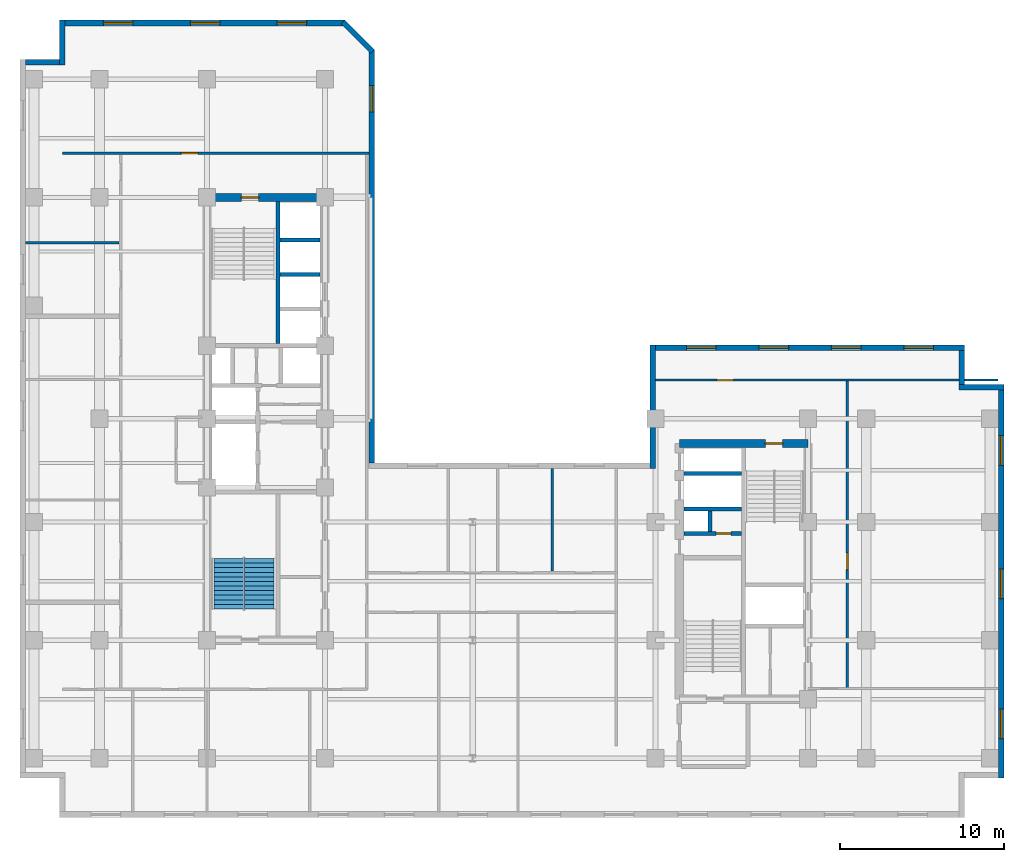
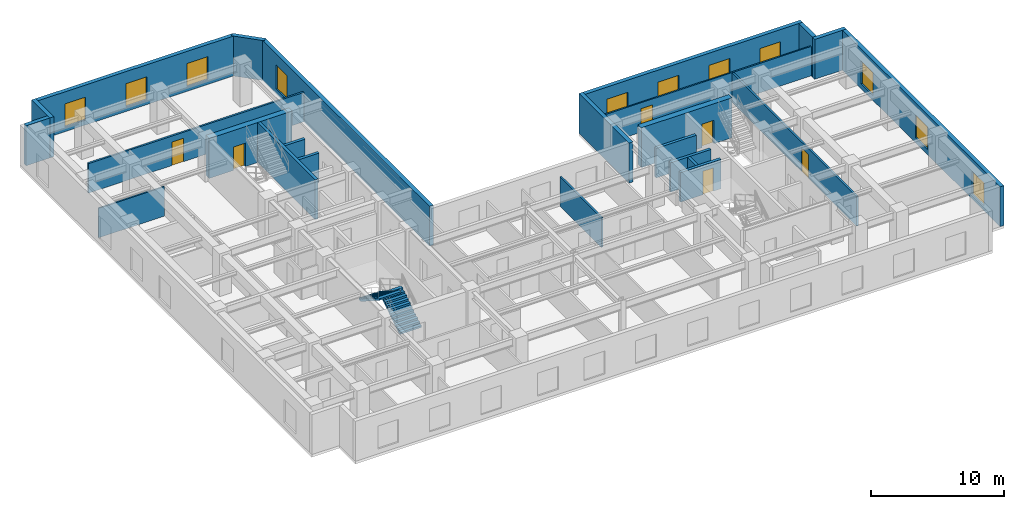
# One storey, part 6 of 10: 24 walls, 11 windows, 6 doors, 2 stair flights, 17 openings, 1 element without a shape of its own.
"""IFC4 building model written with IfcOpenShell, lengths in metres."""

from ifc_helpers import new_model, entity, si_unit, converted_unit, direction, frame, origin_with_axes, origin_2d_with_axis, place, context, subcontext, project, spatial, polyline, rectangle, outline, extrude, material, layer, layer_set, type_object, element, fill, aggregate, save


model = new_model("IFC4")

# Units and contexts
model_context = context("Model", 3, precision=1e-05, world=origin_with_axes(), true_north=direction((0.0, 1.0)))
body_context = subcontext(model_context, "Body", "Model", "MODEL_VIEW")
ifc_project = project(units=[si_unit("LENGTHUNIT", "METRE"), si_unit("AREAUNIT", "SQUARE_METRE"), si_unit("VOLUMEUNIT", "CUBIC_METRE"), converted_unit("PLANEANGLEUNIT", "DEGREE", entity("IfcPlaneAngleMeasure", 0.017453292519943295), si_unit("PLANEANGLEUNIT", "RADIAN"), dimensions=[0, 0, 0, 0, 0, 0, 0]), si_unit("MASSUNIT", "GRAM", prefix="KILO"), si_unit("THERMODYNAMICTEMPERATUREUNIT", "KELVIN")], contexts=[model_context])

# Site, building, storey
site_placement = place(None, origin_with_axes())
site = spatial("IfcSite", under=ifc_project, at=site_placement, CompositionType="ELEMENT")
building_placement = place(site_placement, origin_with_axes())
building = spatial("IfcBuilding", under=site, at=building_placement, Name="Varnlund Millrace Tower", CompositionType="ELEMENT")
storey_placement = place(building_placement, frame((0.0, 0.0, 129.0), z_axis=(0.0, 0.0, 1.0), x_axis=(1.0, 0.0, 0.0)))
storey = spatial("IfcBuildingStorey", under=building, at=storey_placement, Name="L31", CompositionType="ELEMENT", Elevation=129.0)

# Wall, opening, door
ifc_material_1 = material(Name="Concrete C70/85", Category="concrete")
ifc_layer_1 = layer(ifc_material_1, 0.5, Name="Concrete C70/85")
ifc_layer_set_1 = layer_set([ifc_layer_1], Name="Concrete C70/85")
wall_type_1 = type_object("IfcWallType", Name="Type-CoreWall-Shear-500-C70", PredefinedType="SHEAR", material=ifc_layer_set_1)
wall_1_placement = place(storey_placement, frame((11.4, 37.8, 0.0), z_axis=(0.0, 0.0, 1.0), x_axis=(1.0, 0.0, 0.0)))
wall_1 = element("IfcWall", 1, at=wall_1_placement, inside=storey, type_object=wall_type_1, Name="Type-CoreWall-Shear-500-C70", PredefinedType="SHEAR", context=body_context, shape_type="SweptSolid", body=[
    extrude(outline(polyline([(0.0, -0.25), (7.2, -0.25), (7.2, 0.25), (0.0, 0.25), (0.0, -0.25)])), origin_with_axes(), (0.0, 0.0, 1.0), 3.66),
])
opening_1_placement = place(wall_1_placement, frame((2.625, 0.0, 0.0), z_axis=(0.0, 0.0, 1.0), x_axis=(1.0, 0.0, 0.0)))
opening_1 = element("IfcOpeningElement", 2, at=opening_1_placement, cuts=wall_1, Name="Opening L31:DR-STA2", PredefinedType="OPENING", context=body_context, shape_type="SweptSolid", body=[
    extrude(rectangle(XDim=1.05, YDim=0.52, at=origin_2d_with_axis()), origin_with_axes(), (0.0, 0.0, 1.0), 2.15),
])
ifc_material_2 = material(Name="Fire-rated hollow steel door", Category="steel")
door_type_1 = type_object("IfcDoorType", Name="Type-FireDoor-Stair-1050X2150", OperationType="NOTDEFINED", PredefinedType="DOOR", material=ifc_material_2)
door_1_placement = place(wall_1_placement, frame((2.625, 0.0, 0.0), z_axis=(0.0, 0.0, 1.0), x_axis=(1.0, 0.0, 0.0)))
door_1 = element("IfcDoor", 3, at=door_1_placement, inside=storey, type_object=door_type_1, Name="Type-FireDoor-Stair-1050X2150", OperationType="SINGLE_SWING_RIGHT", OverallHeight=2.15, OverallWidth=1.05, PredefinedType="DOOR", context=body_context, shape_type="SweptSolid", body=[
    extrude(rectangle(XDim=1.05, YDim=0.09, at=origin_2d_with_axis()), origin_with_axes(), (0.0, 0.0, 1.0), 2.15),
])
fill(opening_1, door_1)

wall_2_placement = place(storey_placement, frame((40.2, 22.8, 0.0), z_axis=(0.0, 0.0, 1.0), x_axis=(1.0, 0.0, 0.0)))
wall_2 = element("IfcWall", 4, at=wall_2_placement, inside=storey, type_object=wall_type_1, Name="Type-CoreWall-Shear-500-C70", PredefinedType="SHEAR", context=body_context, shape_type="SweptSolid", body=[
    extrude(outline(polyline([(0.0, -0.25), (7.85, -0.25), (7.85, 0.25), (0.0, 0.25), (0.0, -0.25)])), origin_with_axes(), (0.0, 0.0, 1.0), 3.66),
])
opening_2_placement = place(wall_2_placement, frame((5.775, 0.0, 0.0), z_axis=(0.0, 0.0, 1.0), x_axis=(1.0, 0.0, 0.0)))
opening_2 = element("IfcOpeningElement", 5, at=opening_2_placement, cuts=wall_2, Name="Opening L31:DR-STB2", PredefinedType="OPENING", context=body_context, shape_type="SweptSolid", body=[
    extrude(rectangle(XDim=1.05, YDim=0.52, at=origin_2d_with_axis()), origin_with_axes(), (0.0, 0.0, 1.0), 2.15),
])
door_2_placement = place(wall_2_placement, frame((5.775, 0.0, 0.0), z_axis=(0.0, 0.0, 1.0), x_axis=(1.0, 0.0, 0.0)))
door_2 = element("IfcDoor", 6, at=door_2_placement, inside=storey, type_object=door_type_1, Name="Type-FireDoor-Stair-1050X2150", OperationType="SINGLE_SWING_RIGHT", OverallHeight=2.15, OverallWidth=1.05, PredefinedType="DOOR", context=body_context, shape_type="SweptSolid", body=[
    extrude(rectangle(XDim=1.05, YDim=0.09, at=origin_2d_with_axis()), origin_with_axes(), (0.0, 0.0, 1.0), 2.15),
])
fill(opening_2, door_2)

# Wall
ifc_material_3 = material(Name="Precast concrete C50/60", Category="concrete")
ifc_layer_2 = layer(ifc_material_3, 0.34, Name="Precast concrete C50/60")
ifc_layer_set_2 = layer_set([ifc_layer_2], Name="Precast concrete C50/60")
wall_type_2 = type_object("IfcWallType", Name="Type-ExtWall-Precast-Upper-340", PredefinedType="SOLIDWALL", material=ifc_layer_set_2)
wall_3_placement = place(storey_placement, frame((38.57, 21.26, 0.0), z_axis=(0.0, 0.0, 1.0), x_axis=(0.0, 1.0, 0.0)))
element("IfcWall", 7, at=wall_3_placement, inside=storey, type_object=wall_type_2, Name="Type-ExtWall-Precast-Upper-340", PredefinedType="SOLIDWALL", context=body_context, shape_type="SweptSolid", body=[
    extrude(outline(polyline([(0.0, -0.17), (7.54, -0.17), (7.54, 0.17), (0.0, 0.17), (0.0, -0.17)])), origin_with_axes(), (0.0, 0.0, 1.0), 3.66),
])

# Wall, openings, windows
wall_4_placement = place(storey_placement, frame((38.74, 28.63, 0.0), z_axis=(0.0, 0.0, 1.0), x_axis=(1.0, 0.0, 0.0)))
wall_4 = element("IfcWall", 8, at=wall_4_placement, inside=storey, type_object=wall_type_2, Name="Type-ExtWall-Precast-Upper-340", PredefinedType="SOLIDWALL", context=body_context, shape_type="SweptSolid", body=[
    extrude(outline(polyline([(0.0, -0.17), (18.86, -0.17), (18.86, 0.17), (0.0, 0.17), (0.0, -0.17)])), origin_with_axes(), (0.0, 0.0, 1.0), 3.66),
])
opening_3_placement = place(wall_4_placement, frame((2.808, 0.0, 0.45), z_axis=(0.0, 0.0, 1.0), x_axis=(1.0, 0.0, 0.0)))
opening_3 = element("IfcOpeningElement", 9, at=opening_3_placement, cuts=wall_4, Name="Opening L31:WN-01", PredefinedType="OPENING", context=body_context, shape_type="SweptSolid", body=[
    extrude(rectangle(XDim=1.8, YDim=0.36, at=origin_2d_with_axis()), origin_with_axes(), (0.0, 0.0, 1.0), 2.1),
])
opening_4_placement = place(wall_4_placement, frame((7.222, 0.0, 0.45), z_axis=(0.0, 0.0, 1.0), x_axis=(1.0, 0.0, 0.0)))
opening_4 = element("IfcOpeningElement", 10, at=opening_4_placement, cuts=wall_4, Name="Opening L31:WN-02", PredefinedType="OPENING", context=body_context, shape_type="SweptSolid", body=[
    extrude(rectangle(XDim=1.8, YDim=0.36, at=origin_2d_with_axis()), origin_with_axes(), (0.0, 0.0, 1.0), 2.1),
])
opening_5_placement = place(wall_4_placement, frame((11.637, 0.0, 0.45), z_axis=(0.0, 0.0, 1.0), x_axis=(1.0, 0.0, 0.0)))
opening_5 = element("IfcOpeningElement", 11, at=opening_5_placement, cuts=wall_4, Name="Opening L31:WN-03", PredefinedType="OPENING", context=body_context, shape_type="SweptSolid", body=[
    extrude(rectangle(XDim=1.8, YDim=0.36, at=origin_2d_with_axis()), origin_with_axes(), (0.0, 0.0, 1.0), 2.1),
])
opening_6_placement = place(wall_4_placement, frame((16.053, 0.0, 0.45), z_axis=(0.0, 0.0, 1.0), x_axis=(1.0, 0.0, 0.0)))
opening_6 = element("IfcOpeningElement", 12, at=opening_6_placement, cuts=wall_4, Name="Opening L31:WN-04", PredefinedType="OPENING", context=body_context, shape_type="SweptSolid", body=[
    extrude(rectangle(XDim=1.8, YDim=0.36, at=origin_2d_with_axis()), origin_with_axes(), (0.0, 0.0, 1.0), 2.1),
])
ifc_material_4 = material(Name="Argon low-e triple glazing in thermally broken bronze frame", Category="glass")
window_type_1 = type_object("IfcWindowType", Name="Type-Window-Punched-1800X2100", PartitioningType="SINGLE_PANEL", PredefinedType="WINDOW", material=ifc_material_4)
window_1_placement = place(wall_4_placement, frame((2.808, 0.0, 0.45), z_axis=(0.0, 0.0, 1.0), x_axis=(1.0, 0.0, 0.0)))
window_1 = element("IfcWindow", 13, at=window_1_placement, inside=storey, type_object=window_type_1, Name="Type-Window-Punched-1800X2100", OverallHeight=2.1, OverallWidth=1.8, PredefinedType="WINDOW", context=body_context, shape_type="SweptSolid", body=[
    extrude(rectangle(XDim=1.8, YDim=0.09, at=origin_2d_with_axis()), origin_with_axes(), (0.0, 0.0, 1.0), 2.1),
])
fill(opening_3, window_1)
window_2_placement = place(wall_4_placement, frame((7.222, 0.0, 0.45), z_axis=(0.0, 0.0, 1.0), x_axis=(1.0, 0.0, 0.0)))
window_2 = element("IfcWindow", 14, at=window_2_placement, inside=storey, type_object=window_type_1, Name="Type-Window-Punched-1800X2100", OverallHeight=2.1, OverallWidth=1.8, PredefinedType="WINDOW", context=body_context, shape_type="SweptSolid", body=[
    extrude(rectangle(XDim=1.8, YDim=0.09, at=origin_2d_with_axis()), origin_with_axes(), (0.0, 0.0, 1.0), 2.1),
])
fill(opening_4, window_2)
window_3_placement = place(wall_4_placement, frame((11.637, 0.0, 0.45), z_axis=(0.0, 0.0, 1.0), x_axis=(1.0, 0.0, 0.0)))
window_3 = element("IfcWindow", 15, at=window_3_placement, inside=storey, type_object=window_type_1, Name="Type-Window-Punched-1800X2100", OverallHeight=2.1, OverallWidth=1.8, PredefinedType="WINDOW", context=body_context, shape_type="SweptSolid", body=[
    extrude(rectangle(XDim=1.8, YDim=0.09, at=origin_2d_with_axis()), origin_with_axes(), (0.0, 0.0, 1.0), 2.1),
])
fill(opening_5, window_3)
window_4_placement = place(wall_4_placement, frame((16.053, 0.0, 0.45), z_axis=(0.0, 0.0, 1.0), x_axis=(1.0, 0.0, 0.0)))
window_4 = element("IfcWindow", 16, at=window_4_placement, inside=storey, type_object=window_type_1, Name="Type-Window-Punched-1800X2100", OverallHeight=2.1, OverallWidth=1.8, PredefinedType="WINDOW", context=body_context, shape_type="SweptSolid", body=[
    extrude(rectangle(XDim=1.8, YDim=0.09, at=origin_2d_with_axis()), origin_with_axes(), (0.0, 0.0, 1.0), 2.1),
])
fill(opening_6, window_4)

# Walls
wall_5_placement = place(storey_placement, frame((57.43, 28.46, 0.0), z_axis=(0.0, 0.0, 1.0), x_axis=(0.0, -1.0, 0.0)))
element("IfcWall", 17, at=wall_5_placement, inside=storey, type_object=wall_type_2, Name="Type-ExtWall-Precast-Upper-340", PredefinedType="SOLIDWALL", context=body_context, shape_type="SweptSolid", body=[
    extrude(outline(polyline([(0.0, -0.17), (2.06, -0.17), (2.06, 0.17), (0.0, 0.17), (0.0, -0.17)])), origin_with_axes(), (0.0, 0.0, 1.0), 3.66),
])
wall_6_placement = place(storey_placement, frame((57.26, 26.23, 0.0), z_axis=(0.0, 0.0, 1.0), x_axis=(1.0, 0.0, 0.0)))
element("IfcWall", 18, at=wall_6_placement, inside=storey, type_object=wall_type_2, Name="Type-ExtWall-Precast-Upper-340", PredefinedType="SOLIDWALL", context=body_context, shape_type="SweptSolid", body=[
    extrude(outline(polyline([(0.0, -0.17), (2.74, -0.17), (2.74, 0.17), (0.0, 0.17), (0.0, -0.17)])), origin_with_axes(), (0.0, 0.0, 1.0), 3.66),
])

# Wall, openings, windows
wall_7_placement = place(storey_placement, frame((59.83, 26.06, 0.0), z_axis=(0.0, 0.0, 1.0), x_axis=(0.0, -1.0, 0.0)))
wall_7 = element("IfcWall", 19, at=wall_7_placement, inside=storey, type_object=wall_type_2, Name="Type-ExtWall-Precast-Upper-340", PredefinedType="SOLIDWALL", context=body_context, shape_type="SweptSolid", body=[
    extrude(outline(polyline([(0.0, -0.17), (23.66, -0.17), (23.66, 0.17), (0.0, 0.17), (0.0, -0.17)])), origin_with_axes(), (0.0, 0.0, 1.0), 3.66),
])
opening_7_placement = place(wall_7_placement, frame((3.696, 0.0, 0.45), z_axis=(0.0, 0.0, 1.0), x_axis=(1.0, 0.0, 0.0)))
opening_7 = element("IfcOpeningElement", 20, at=opening_7_placement, cuts=wall_7, Name="Opening L31:WN-05", PredefinedType="OPENING", context=body_context, shape_type="SweptSolid", body=[
    extrude(rectangle(XDim=1.8, YDim=0.36, at=origin_2d_with_axis()), origin_with_axes(), (0.0, 0.0, 1.0), 2.1),
])
opening_8_placement = place(wall_7_placement, frame((11.83, 0.0, 0.45), z_axis=(0.0, 0.0, 1.0), x_axis=(1.0, 0.0, 0.0)))
opening_8 = element("IfcOpeningElement", 21, at=opening_8_placement, cuts=wall_7, Name="Opening L31:WN-06", PredefinedType="OPENING", context=body_context, shape_type="SweptSolid", body=[
    extrude(rectangle(XDim=1.8, YDim=0.36, at=origin_2d_with_axis()), origin_with_axes(), (0.0, 0.0, 1.0), 2.1),
])
opening_9_placement = place(wall_7_placement, frame((20.364, 0.0, 0.45), z_axis=(0.0, 0.0, 1.0), x_axis=(1.0, 0.0, 0.0)))
opening_9 = element("IfcOpeningElement", 22, at=opening_9_placement, cuts=wall_7, Name="Opening L31:WN-07", PredefinedType="OPENING", context=body_context, shape_type="SweptSolid", body=[
    extrude(rectangle(XDim=1.8, YDim=0.36, at=origin_2d_with_axis()), origin_with_axes(), (0.0, 0.0, 1.0), 2.1),
])
window_5_placement = place(wall_7_placement, frame((3.696, 0.0, 0.45), z_axis=(0.0, 0.0, 1.0), x_axis=(1.0, 0.0, 0.0)))
window_5 = element("IfcWindow", 23, at=window_5_placement, inside=storey, type_object=window_type_1, Name="Type-Window-Punched-1800X2100", OverallHeight=2.1, OverallWidth=1.8, PredefinedType="WINDOW", context=body_context, shape_type="SweptSolid", body=[
    extrude(rectangle(XDim=1.8, YDim=0.09, at=origin_2d_with_axis()), origin_with_axes(), (0.0, 0.0, 1.0), 2.1),
])
fill(opening_7, window_5)
window_6_placement = place(wall_7_placement, frame((11.83, 0.0, 0.45), z_axis=(0.0, 0.0, 1.0), x_axis=(1.0, 0.0, 0.0)))
window_6 = element("IfcWindow", 24, at=window_6_placement, inside=storey, type_object=window_type_1, Name="Type-Window-Punched-1800X2100", OverallHeight=2.1, OverallWidth=1.8, PredefinedType="WINDOW", context=body_context, shape_type="SweptSolid", body=[
    extrude(rectangle(XDim=1.8, YDim=0.09, at=origin_2d_with_axis()), origin_with_axes(), (0.0, 0.0, 1.0), 2.1),
])
fill(opening_8, window_6)
window_7_placement = place(wall_7_placement, frame((20.364, 0.0, 0.45), z_axis=(0.0, 0.0, 1.0), x_axis=(1.0, 0.0, 0.0)))
window_7 = element("IfcWindow", 25, at=window_7_placement, inside=storey, type_object=window_type_1, Name="Type-Window-Punched-1800X2100", OverallHeight=2.1, OverallWidth=1.8, PredefinedType="WINDOW", context=body_context, shape_type="SweptSolid", body=[
    extrude(rectangle(XDim=1.8, YDim=0.09, at=origin_2d_with_axis()), origin_with_axes(), (0.0, 0.0, 1.0), 2.1),
])
fill(opening_9, window_7)

# Walls
wall_8_placement = place(storey_placement, frame((0.34, 46.03, 0.0), z_axis=(0.0, 0.0, 1.0), x_axis=(1.0, 0.0, 0.0)))
element("IfcWall", 26, at=wall_8_placement, inside=storey, type_object=wall_type_2, Name="Type-ExtWall-Precast-Upper-340", PredefinedType="SOLIDWALL", context=body_context, shape_type="SweptSolid", body=[
    extrude(outline(polyline([(0.0, -0.17), (2.06, -0.17), (2.06, 0.17), (0.0, 0.17), (0.0, -0.17)])), origin_with_axes(), (0.0, 0.0, 1.0), 3.66),
])
wall_9_placement = place(storey_placement, frame((2.57, 45.86, 0.0), z_axis=(0.0, 0.0, 1.0), x_axis=(0.0, 1.0, 0.0)))
element("IfcWall", 27, at=wall_9_placement, inside=storey, type_object=wall_type_2, Name="Type-ExtWall-Precast-Upper-340", PredefinedType="SOLIDWALL", context=body_context, shape_type="SweptSolid", body=[
    extrude(outline(polyline([(0.0, -0.17), (2.74, -0.17), (2.74, 0.17), (0.0, 0.17), (0.0, -0.17)])), origin_with_axes(), (0.0, 0.0, 1.0), 3.66),
])

# Wall, openings, windows
wall_10_placement = place(storey_placement, frame((2.74, 48.43, 0.0), z_axis=(0.0, 0.0, 1.0), x_axis=(1.0, 0.0, 0.0)))
wall_10 = element("IfcWall", 28, at=wall_10_placement, inside=storey, type_object=wall_type_2, Name="Type-ExtWall-Precast-Upper-340", PredefinedType="SOLIDWALL", context=body_context, shape_type="SweptSolid", body=[
    extrude(outline(polyline([(0.0, -0.17), (17.088, -0.17), (17.088, 0.17), (0.0, 0.17), (0.0, -0.17)])), origin_with_axes(), (0.0, 0.0, 1.0), 3.66),
])
opening_10_placement = place(wall_10_placement, frame((3.248, 0.0, 0.45), z_axis=(0.0, 0.0, 1.0), x_axis=(1.0, 0.0, 0.0)))
opening_10 = element("IfcOpeningElement", 29, at=opening_10_placement, cuts=wall_10, Name="Opening L31:WN-26", PredefinedType="OPENING", context=body_context, shape_type="SweptSolid", body=[
    extrude(rectangle(XDim=1.8, YDim=0.36, at=origin_2d_with_axis()), origin_with_axes(), (0.0, 0.0, 1.0), 2.1),
])
opening_11_placement = place(wall_10_placement, frame((8.544, 0.0, 0.45), z_axis=(0.0, 0.0, 1.0), x_axis=(1.0, 0.0, 0.0)))
opening_11 = element("IfcOpeningElement", 30, at=opening_11_placement, cuts=wall_10, Name="Opening L31:WN-27", PredefinedType="OPENING", context=body_context, shape_type="SweptSolid", body=[
    extrude(rectangle(XDim=1.8, YDim=0.36, at=origin_2d_with_axis()), origin_with_axes(), (0.0, 0.0, 1.0), 2.1),
])
opening_12_placement = place(wall_10_placement, frame((13.84, 0.0, 0.45), z_axis=(0.0, 0.0, 1.0), x_axis=(1.0, 0.0, 0.0)))
opening_12 = element("IfcOpeningElement", 31, at=opening_12_placement, cuts=wall_10, Name="Opening L31:WN-28", PredefinedType="OPENING", context=body_context, shape_type="SweptSolid", body=[
    extrude(rectangle(XDim=1.8, YDim=0.36, at=origin_2d_with_axis()), origin_with_axes(), (0.0, 0.0, 1.0), 2.1),
])
window_8_placement = place(wall_10_placement, frame((3.248, 0.0, 0.45), z_axis=(0.0, 0.0, 1.0), x_axis=(1.0, 0.0, 0.0)))
window_8 = element("IfcWindow", 32, at=window_8_placement, inside=storey, type_object=window_type_1, Name="Type-Window-Punched-1800X2100", OverallHeight=2.1, OverallWidth=1.8, PredefinedType="WINDOW", context=body_context, shape_type="SweptSolid", body=[
    extrude(rectangle(XDim=1.8, YDim=0.09, at=origin_2d_with_axis()), origin_with_axes(), (0.0, 0.0, 1.0), 2.1),
])
fill(opening_10, window_8)
window_9_placement = place(wall_10_placement, frame((8.544, 0.0, 0.45), z_axis=(0.0, 0.0, 1.0), x_axis=(1.0, 0.0, 0.0)))
window_9 = element("IfcWindow", 33, at=window_9_placement, inside=storey, type_object=window_type_1, Name="Type-Window-Punched-1800X2100", OverallHeight=2.1, OverallWidth=1.8, PredefinedType="WINDOW", context=body_context, shape_type="SweptSolid", body=[
    extrude(rectangle(XDim=1.8, YDim=0.09, at=origin_2d_with_axis()), origin_with_axes(), (0.0, 0.0, 1.0), 2.1),
])
fill(opening_11, window_9)
window_10_placement = place(wall_10_placement, frame((13.84, 0.0, 0.45), z_axis=(0.0, 0.0, 1.0), x_axis=(1.0, 0.0, 0.0)))
window_10 = element("IfcWindow", 34, at=window_10_placement, inside=storey, type_object=window_type_1, Name="Type-Window-Punched-1800X2100", OverallHeight=2.1, OverallWidth=1.8, PredefinedType="WINDOW", context=body_context, shape_type="SweptSolid", body=[
    extrude(rectangle(XDim=1.8, YDim=0.09, at=origin_2d_with_axis()), origin_with_axes(), (0.0, 0.0, 1.0), 2.1),
])
fill(opening_12, window_10)

# Wall
wall_11_placement = place(storey_placement, frame((19.694, 48.494, 0.0), z_axis=(0.0, 0.0, 1.0), x_axis=(0.707107, -0.707107, 0.0)))
element("IfcWall", 35, at=wall_11_placement, inside=storey, type_object=wall_type_2, Name="Type-ExtWall-Precast-Upper-340", PredefinedType="SOLIDWALL", context=body_context, shape_type="SweptSolid", body=[
    extrude(outline(polyline([(0.0, -0.17), (2.565383, -0.17), (2.565383, 0.17), (0.0, 0.17), (0.0, -0.17)])), origin_with_axes(), (0.0, 0.0, 1.0), 3.66),
])

# Wall, opening, window
wall_12_placement = place(storey_placement, frame((21.458, 46.82, 0.0), z_axis=(0.0, 0.0, 1.0), x_axis=(0.0, -1.0, 0.0)))
wall_12 = element("IfcWall", 36, at=wall_12_placement, inside=storey, type_object=wall_type_2, Name="Type-ExtWall-Precast-Upper-340", PredefinedType="SOLIDWALL", context=body_context, shape_type="SweptSolid", body=[
    extrude(outline(polyline([(0.0, -0.17), (25.22, -0.17), (25.22, 0.17), (0.0, 0.17), (0.0, -0.17)])), origin_with_axes(), (0.0, 0.0, 1.0), 3.66),
])
opening_13_placement = place(wall_12_placement, frame((3.002, 0.0, 0.45), z_axis=(0.0, 0.0, 1.0), x_axis=(1.0, 0.0, 0.0)))
opening_13 = element("IfcOpeningElement", 37, at=opening_13_placement, cuts=wall_12, Name="Opening L31:WN-29", PredefinedType="OPENING", context=body_context, shape_type="SweptSolid", body=[
    extrude(rectangle(XDim=1.6, YDim=0.36, at=origin_2d_with_axis()), origin_with_axes(), (0.0, 0.0, 1.0), 2.2),
])
window_type_2 = type_object("IfcWindowType", Name="Type-Window-Slot-1600X2200", PartitioningType="SINGLE_PANEL", PredefinedType="WINDOW", material=ifc_material_4)
window_11_placement = place(wall_12_placement, frame((3.002, 0.0, 0.45), z_axis=(0.0, 0.0, 1.0), x_axis=(1.0, 0.0, 0.0)))
window_11 = element("IfcWindow", 38, at=window_11_placement, inside=storey, type_object=window_type_2, Name="Type-Window-Slot-1600X2200", OverallHeight=2.2, OverallWidth=1.6, PredefinedType="WINDOW", context=body_context, shape_type="SweptSolid", body=[
    extrude(rectangle(XDim=1.6, YDim=0.09, at=origin_2d_with_axis()), origin_with_axes(), (0.0, 0.0, 1.0), 2.2),
])
fill(opening_13, window_11)

# Wall, opening, door
ifc_material_5 = material(Name="Fire-rated gypsum board on cold-formed steel framing", Category="steel")
ifc_layer_3 = layer(ifc_material_5, 0.16, Name="Fire-rated gypsum board on cold-formed steel framing")
ifc_layer_set_3 = layer_set([ifc_layer_3], Name="Fire-rated gypsum board on cold-formed steel framing")
wall_type_3 = type_object("IfcWallType", Name="Type-Partition-Corridor-160", PredefinedType="PARTITIONING", material=ifc_layer_set_3)
wall_13_placement = place(storey_placement, frame((2.6, 40.5, 0.0), z_axis=(0.0, 0.0, 1.0), x_axis=(1.0, 0.0, 0.0)))
wall_13 = element("IfcWall", 39, at=wall_13_placement, inside=storey, type_object=wall_type_3, Name="Type-Partition-Corridor-160", PredefinedType="PARTITIONING", context=body_context, shape_type="SweptSolid", body=[
    extrude(outline(polyline([(0.0, -0.08), (18.693, -0.08), (18.693, 0.08), (0.0, 0.08), (0.0, -0.08)])), origin_with_axes(), (0.0, 0.0, 1.0), 2.7),
])
opening_14_placement = place(wall_13_placement, frame((7.744, 0.0, 0.0), z_axis=(0.0, 0.0, 1.0), x_axis=(1.0, 0.0, 0.0)))
opening_14 = element("IfcOpeningElement", 40, at=opening_14_placement, cuts=wall_13, Name="Opening L31:DR-WAN-01", PredefinedType="OPENING", context=body_context, shape_type="SweptSolid", body=[
    extrude(rectangle(XDim=1.0, YDim=0.18, at=origin_2d_with_axis()), origin_with_axes(), (0.0, 0.0, 1.0), 2.15),
])
ifc_material_6 = material(Name="Solid-core white oak and bronze frame door")
door_type_2 = type_object("IfcDoorType", Name="Type-IntDoor-Office-1000X2150", OperationType="NOTDEFINED", PredefinedType="DOOR", material=ifc_material_6)
door_3_placement = place(wall_13_placement, frame((7.744, 0.0, 0.0), z_axis=(0.0, 0.0, 1.0), x_axis=(1.0, 0.0, 0.0)))
door_3 = element("IfcDoor", 41, at=door_3_placement, inside=storey, type_object=door_type_2, Name="Type-IntDoor-Office-1000X2150", OperationType="SINGLE_SWING_LEFT", OverallHeight=2.15, OverallWidth=1.0, PredefinedType="DOOR", context=body_context, shape_type="SweptSolid", body=[
    extrude(rectangle(XDim=1.0, YDim=0.09, at=origin_2d_with_axis()), origin_with_axes(), (0.0, 0.0, 1.0), 2.15),
])
fill(opening_14, door_3)

wall_14_placement = place(storey_placement, frame((50.45, 7.85, 0.0), z_axis=(0.0, 0.0, 1.0), x_axis=(0.0, 1.0, 0.0)))
wall_14 = element("IfcWall", 42, at=wall_14_placement, inside=storey, type_object=wall_type_3, Name="Type-Partition-Corridor-160", PredefinedType="PARTITIONING", context=body_context, shape_type="SweptSolid", body=[
    extrude(outline(polyline([(0.0, -0.08), (18.8, -0.08), (18.8, 0.08), (0.0, 0.08), (0.0, -0.08)])), origin_with_axes(), (0.0, 0.0, 1.0), 2.7),
])
opening_15_placement = place(wall_14_placement, frame((7.75, 0.0, 0.0), z_axis=(0.0, 0.0, 1.0), x_axis=(1.0, 0.0, 0.0)))
opening_15 = element("IfcOpeningElement", 43, at=opening_15_placement, cuts=wall_14, Name="Opening L31:DR-WB-01", PredefinedType="OPENING", context=body_context, shape_type="SweptSolid", body=[
    extrude(rectangle(XDim=1.0, YDim=0.18, at=origin_2d_with_axis()), origin_with_axes(), (0.0, 0.0, 1.0), 2.15),
])
door_4_placement = place(wall_14_placement, frame((7.75, 0.0, 0.0), z_axis=(0.0, 0.0, 1.0), x_axis=(1.0, 0.0, 0.0)))
door_4 = element("IfcDoor", 44, at=door_4_placement, inside=storey, type_object=door_type_2, Name="Type-IntDoor-Office-1000X2150", OperationType="SINGLE_SWING_LEFT", OverallHeight=2.15, OverallWidth=1.0, PredefinedType="DOOR", context=body_context, shape_type="SweptSolid", body=[
    extrude(rectangle(XDim=1.0, YDim=0.09, at=origin_2d_with_axis()), origin_with_axes(), (0.0, 0.0, 1.0), 2.15),
])
fill(opening_15, door_4)

# Walls
ifc_material_7 = material(Name="Acoustic STC-50 gypsum board partition", Category="gypsum")
ifc_layer_4 = layer(ifc_material_7, 0.15, Name="Acoustic STC-50 gypsum board partition")
ifc_layer_set_4 = layer_set([ifc_layer_4], Name="Acoustic STC-50 gypsum board partition")
wall_type_4 = type_object("IfcWallType", Name="Type-Partition-Demising-150", PredefinedType="PARTITIONING", material=ifc_layer_set_4)
wall_15_placement = place(storey_placement, frame((32.468, 15.02, 0.0), z_axis=(0.0, 0.0, 1.0), x_axis=(0.0, 1.0, 0.0)))
element("IfcWall", 45, at=wall_15_placement, inside=storey, type_object=wall_type_4, Name="Type-Partition-Demising-150", PredefinedType="PARTITIONING", context=body_context, shape_type="SweptSolid", body=[
    extrude(outline(polyline([(0.0, -0.075), (6.245, -0.075), (6.245, 0.075), (0.0, 0.075), (0.0, -0.075)])), origin_with_axes(), (0.0, 0.0, 1.0), 2.7),
])
ifc_material_8 = material(Name="Gypsum board tenant partition", Category="gypsum")
ifc_layer_5 = layer(ifc_material_8, 0.125, Name="Gypsum board tenant partition")
ifc_layer_set_5 = layer_set([ifc_layer_5], Name="Gypsum board tenant partition")
wall_type_5 = type_object("IfcWallType", Name="Type-Partition-Tenant-125", PredefinedType="PARTITIONING", material=ifc_layer_set_5)
wall_16_placement = place(storey_placement, frame((0.335, 35.033, 0.0), z_axis=(0.0, 0.0, 1.0), x_axis=(1.0, 0.0, 0.0)))
element("IfcWall", 46, at=wall_16_placement, inside=storey, type_object=wall_type_5, Name="Type-Partition-Tenant-125", PredefinedType="PARTITIONING", context=body_context, shape_type="SweptSolid", body=[
    extrude(outline(polyline([(0.0, -0.0625), (5.695, -0.0625), (5.695, 0.0625), (0.0, 0.0625), (0.0, -0.0625)])), origin_with_axes(), (0.0, 0.0, 1.0), 2.7),
])

# Wall, opening, door
wall_17_placement = place(storey_placement, frame((38.735, 26.65, 0.0), z_axis=(0.0, 0.0, 1.0), x_axis=(1.0, 0.0, 0.0)))
wall_17 = element("IfcWall", 47, at=wall_17_placement, inside=storey, type_object=wall_type_5, Name="Type-Partition-Tenant-125", PredefinedType="PARTITIONING", context=body_context, shape_type="SweptSolid", body=[
    extrude(outline(polyline([(0.0, -0.0625), (20.905, -0.0625), (20.905, 0.0625), (0.0, 0.0625), (0.0, -0.0625)])), origin_with_axes(), (0.0, 0.0, 1.0), 2.7),
])
opening_16_placement = place(wall_17_placement, frame((4.265, 0.0, 0.0), z_axis=(0.0, 0.0, 1.0), x_axis=(1.0, 0.0, 0.0)))
opening_16 = element("IfcOpeningElement", 48, at=opening_16_placement, cuts=wall_17, Name="Opening L31:DR-WBN-01", PredefinedType="OPENING", context=body_context, shape_type="SweptSolid", body=[
    extrude(rectangle(XDim=1.0, YDim=0.145, at=origin_2d_with_axis()), origin_with_axes(), (0.0, 0.0, 1.0), 2.15),
])
door_5_placement = place(wall_17_placement, frame((4.265, 0.0, 0.0), z_axis=(0.0, 0.0, 1.0), x_axis=(1.0, 0.0, 0.0)))
door_5 = element("IfcDoor", 49, at=door_5_placement, inside=storey, type_object=door_type_2, Name="Type-IntDoor-Office-1000X2150", OperationType="SINGLE_SWING_RIGHT", OverallHeight=2.15, OverallWidth=1.0, PredefinedType="DOOR", context=body_context, shape_type="SweptSolid", body=[
    extrude(rectangle(XDim=1.0, YDim=0.075, at=origin_2d_with_axis()), origin_with_axes(), (0.0, 0.0, 1.0), 2.15),
])
fill(opening_16, door_5)

ifc_material_9 = material(Name="Concrete C60/75", Category="concrete")
ifc_layer_6 = layer(ifc_material_9, 0.25, Name="Concrete C60/75")
ifc_layer_set_6 = layer_set([ifc_layer_6], Name="Concrete C60/75")
wall_type_6 = type_object("IfcWallType", Name="Type-ShaftWall-Fire-250", PredefinedType="SOLIDWALL", material=ifc_layer_set_6)
wall_18_placement = place(storey_placement, frame((40.5, 17.3, 0.0), z_axis=(0.0, 0.0, 1.0), x_axis=(1.0, 0.0, 0.0)))
wall_18 = element("IfcWall", 50, at=wall_18_placement, inside=storey, type_object=wall_type_6, Name="Type-ShaftWall-Fire-250", PredefinedType="SOLIDWALL", context=body_context, shape_type="SweptSolid", body=[
    extrude(outline(polyline([(0.0, -0.125), (3.5, -0.125), (3.5, 0.125), (0.0, 0.125), (0.0, -0.125)])), origin_with_axes(), (0.0, 0.0, 1.0), 2.7),
])
opening_17_placement = place(wall_18_placement, frame((2.4, 0.0, 0.0), z_axis=(0.0, 0.0, 1.0), x_axis=(1.0, 0.0, 0.0)))
opening_17 = element("IfcOpeningElement", 51, at=opening_17_placement, cuts=wall_18, Name="Opening L31:DR-CB-ELC", PredefinedType="OPENING", context=body_context, shape_type="SweptSolid", body=[
    extrude(rectangle(XDim=0.9, YDim=0.27, at=origin_2d_with_axis()), origin_with_axes(), (0.0, 0.0, 1.0), 2.15),
])
ifc_material_10 = material(Name="Fire-rated hollow steel service closet door", Category="steel")
door_type_3 = type_object("IfcDoorType", Name="Type-FireDoor-Closet-900X2150", OperationType="NOTDEFINED", PredefinedType="DOOR", material=ifc_material_10)
door_6_placement = place(wall_18_placement, frame((2.4, 0.0, 0.0), z_axis=(0.0, 0.0, 1.0), x_axis=(1.0, 0.0, 0.0)))
door_6 = element("IfcDoor", 52, at=door_6_placement, inside=storey, type_object=door_type_3, Name="Type-FireDoor-Closet-900X2150", OperationType="SINGLE_SWING_LEFT", OverallHeight=2.15, OverallWidth=0.9, PredefinedType="DOOR", context=body_context, shape_type="SweptSolid", body=[
    extrude(rectangle(XDim=0.9, YDim=0.09, at=origin_2d_with_axis()), origin_with_axes(), (0.0, 0.0, 1.0), 2.15),
])
fill(opening_17, door_6)

# Walls
wall_19_placement = place(storey_placement, frame((40.5, 18.8, 0.0), z_axis=(0.0, 0.0, 1.0), x_axis=(1.0, 0.0, 0.0)))
element("IfcWall", 53, at=wall_19_placement, inside=storey, type_object=wall_type_6, Name="Type-ShaftWall-Fire-250", PredefinedType="SOLIDWALL", context=body_context, shape_type="SweptSolid", body=[
    extrude(outline(polyline([(0.0, -0.125), (3.5, -0.125), (3.5, 0.125), (0.0, 0.125), (0.0, -0.125)])), origin_with_axes(), (0.0, 0.0, 1.0), 2.7),
])
wall_20_placement = place(storey_placement, frame((42.075, 17.43, 0.0), z_axis=(0.0, 0.0, 1.0), x_axis=(0.0, 1.0, 0.0)))
element("IfcWall", 54, at=wall_20_placement, inside=storey, type_object=wall_type_6, Name="Type-ShaftWall-Fire-250", PredefinedType="SOLIDWALL", context=body_context, shape_type="SweptSolid", body=[
    extrude(outline(polyline([(0.0, -0.125), (1.24, -0.125), (1.24, 0.125), (0.0, 0.125), (0.0, -0.125)])), origin_with_axes(), (0.0, 0.0, 1.0), 2.7),
])
for number, where, z_axis, x_axis, name in (
    (55, (15.84, 33.1, 0.0), (0.0, 0.0, 1.0), (1.0, 0.0, 0.0), "Type-ShaftWall-Fire-250"),
    (56, (15.84, 35.2, 0.0), (0.0, 0.0, 1.0), (1.0, 0.0, 0.0), "Type-ShaftWall-Fire-250"),
):
    element("IfcWall", number, at=place(storey_placement, frame(where, z_axis=z_axis, x_axis=x_axis)), inside=storey, type_object=wall_type_6, Name=name, PredefinedType="SOLIDWALL", context=body_context, shape_type="SweptSolid", body=[
        extrude(outline(polyline([(0.0, -0.125), (2.46, -0.125), (2.46, 0.125), (0.0, 0.125), (0.0, -0.125)])), origin_with_axes(), (0.0, 0.0, 1.0), 2.7),
    ])
wall_21_placement = place(storey_placement, frame((40.5, 20.96, 0.0), z_axis=(0.0, 0.0, 1.0), x_axis=(1.0, 0.0, 0.0)))
element("IfcWall", 57, at=wall_21_placement, inside=storey, type_object=wall_type_6, Name="Type-ShaftWall-Fire-250", PredefinedType="SOLIDWALL", context=body_context, shape_type="SweptSolid", body=[
    extrude(outline(polyline([(0.0, -0.125), (3.5, -0.125), (3.5, 0.125), (0.0, 0.125), (0.0, -0.125)])), origin_with_axes(), (0.0, 0.0, 1.0), 2.7),
])
wall_type_7 = type_object("IfcWallType", Name="Type-StairWall-Shear-250", PredefinedType="SHEAR", material=ifc_layer_set_6)
wall_22_placement = place(storey_placement, frame((15.725, 28.9, 0.0), z_axis=(0.0, 0.0, 1.0), x_axis=(0.0, 1.0, 0.0)))
element("IfcWall", 58, at=wall_22_placement, inside=storey, type_object=wall_type_7, Name="Type-StairWall-Shear-250", PredefinedType="SHEAR", context=body_context, shape_type="SweptSolid", body=[
    extrude(outline(polyline([(0.0, -0.125), (8.65, -0.125), (8.65, 0.125), (0.0, 0.125), (0.0, -0.125)])), origin_with_axes(), (0.0, 0.0, 1.0), 3.66),
])

# Stair, stair flights
ifc_material_11 = material(Name="Concrete C50/60", Category="concrete")
stair_type = type_object("IfcStairType", Name="Type-Stair-Dogleg-185-390", PredefinedType="HALF_TURN_STAIR", material=ifc_material_11)
stair_placement = place(storey_placement, origin_with_axes())
stair = element("IfcStair", 59, at=stair_placement, inside=storey, type_object=stair_type, Name="Type-Stair-Dogleg-185-390", PredefinedType="HALF_TURN_STAIR")
stair_flight_type = type_object("IfcStairFlightType", Name="Type-Dogleg-Run-185-390", PredefinedType="STRAIGHT", material=ifc_material_3)
stair_flight_1_placement = place(storey_placement, frame((13.625, 12.7, 0.0), z_axis=(1.0, 0.0, 0.0), x_axis=(0.0, 1.0, 0.0)))
stair_flight_1 = element("IfcStairFlight", 60, at=stair_flight_1_placement, type_object=stair_flight_type, Name="ST-A1 flight 1", NumberOfRisers=11, NumberOfTreads=11, PredefinedType="STRAIGHT", RiserHeight=0.177273, TreadLength=0.28, context=body_context, shape_type="SweptSolid", body=[
    extrude(outline(polyline([(0.0, 0.0), (0.0, 0.177273), (0.28, 0.177273), (0.28, 0.354545), (0.56, 0.354545), (0.56, 0.531818), (0.84, 0.531818), (0.84, 0.709091), (1.12, 0.709091), (1.12, 0.886364), (1.4, 0.886364), (1.4, 1.063636), (1.68, 1.063636), (1.68, 1.240909), (1.96, 1.240909), (1.96, 1.418182), (2.24, 1.418182), (2.24, 1.595454), (2.52, 1.595454), (2.52, 1.772727), (2.8, 1.772727), (2.8, 1.95), (3.08, 1.95), (3.08, 1.8), (0.28, 0.0), (0.0, 0.0)])), origin_with_axes(), (0.0, 0.0, 1.0), 1.85),
])
stair_flight_2_placement = place(storey_placement, frame((13.675, 15.78, 1.95), z_axis=(-1.0, 0.0, 0.0), x_axis=(0.0, -1.0, 0.0)))
stair_flight_2 = element("IfcStairFlight", 61, at=stair_flight_2_placement, type_object=stair_flight_type, Name="ST-A1 flight 2", NumberOfRisers=11, NumberOfTreads=11, PredefinedType="STRAIGHT", RiserHeight=0.177273, TreadLength=0.28, context=body_context, shape_type="SweptSolid", body=[
    extrude(outline(polyline([(0.0, 0.0), (0.0, 0.177273), (0.28, 0.177273), (0.28, 0.354545), (0.56, 0.354545), (0.56, 0.531818), (0.84, 0.531818), (0.84, 0.709091), (1.12, 0.709091), (1.12, 0.886364), (1.4, 0.886364), (1.4, 1.063636), (1.68, 1.063636), (1.68, 1.240909), (1.96, 1.240909), (1.96, 1.418182), (2.24, 1.418182), (2.24, 1.595454), (2.52, 1.595454), (2.52, 1.772727), (2.8, 1.772727), (2.8, 1.95), (3.08, 1.95), (3.08, 1.8), (0.28, 0.0), (0.0, 0.0)])), origin_with_axes(), (0.0, 0.0, 1.0), 1.85),
])
aggregate(stair, [stair_flight_1, stair_flight_2])

save(model, "model.ifc")
